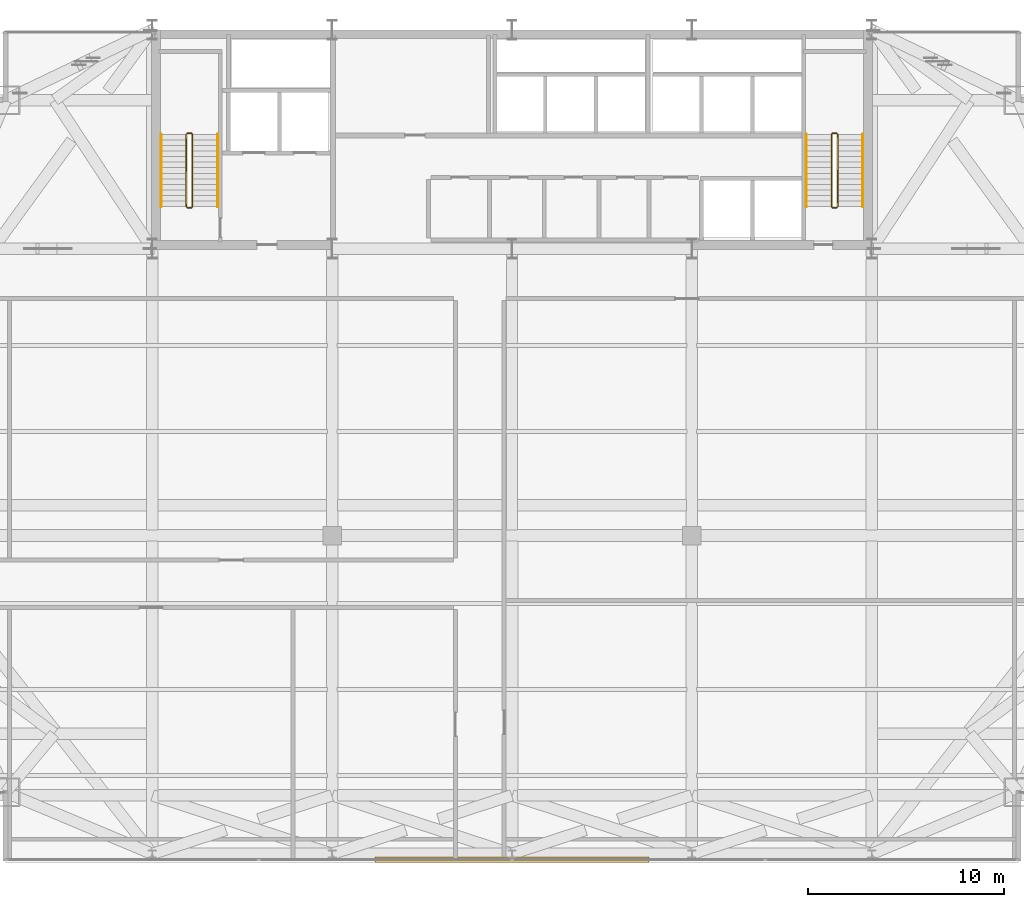
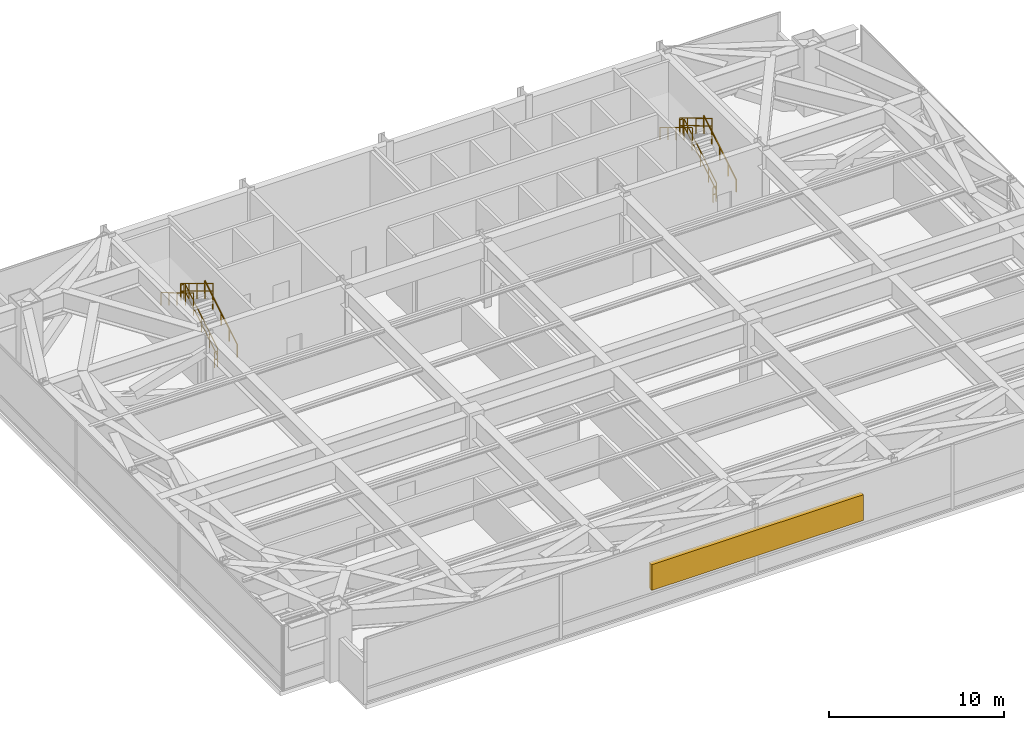
# One storey, part 32 of 32: 12 railings, 1 shading device.
"""IFC4 building model written with IfcOpenShell, lengths in metres."""

from ifc_helpers import new_model, si_unit, direction, frame, origin, origin_2d, place, context, subcontext, project, spatial, rectangle, extrude, source, transform, mapped, material, layer, layer_set, type_object, type_shapes, element, save


model = new_model("IFC4")

# Units and contexts
model_context = context("Model", 3, precision=1e-05, world=origin(), true_north=direction((0.0, 1.0)))
body_context = subcontext(model_context, "Body", "Model", "MODEL_VIEW")
ifc_project = project(units=[si_unit("LENGTHUNIT", "METRE"), si_unit("AREAUNIT", "SQUARE_METRE"), si_unit("VOLUMEUNIT", "CUBIC_METRE"), si_unit("PLANEANGLEUNIT", "RADIAN"), si_unit("MASSUNIT", "GRAM", prefix="KILO")], contexts=[model_context])

# Site, building, storey
site_placement = place(None, origin())
site = spatial("IfcSite", under=ifc_project, at=site_placement, CompositionType="ELEMENT")
building_placement = place(site_placement, origin())
building = spatial("IfcBuilding", under=site, at=building_placement, Name="Varnel Quay Broadcast Tower", CompositionType="ELEMENT")
storey_placement = place(building_placement, frame((0.0, 0.0, 141.0)))
storey = spatial("IfcBuildingStorey", under=building, at=storey_placement, Name="L34", CompositionType="ELEMENT", Elevation=141.0)

# Railings
ifc_material_1 = material(Name="Painted Steel Guard and Handrail CSA G40.21 350W", Category="steel")
railing_type_1 = type_object("IfcRailingType", Name="Rail_StairGuard1100", PredefinedType="GUARDRAIL", material=ifc_material_1)
railing_1_placement = place(storey_placement, frame((17.64990234375, 37.75, 0.17138671875)))
element("IfcRailing", 1, at=railing_1_placement, inside=storey, type_object=railing_type_1, Name="L34 ST-01 stair guard 1", PredefinedType="GUARDRAIL", context=body_context, shape_type="SweptSolid", body=[
    extrude(rectangle(XDim=0.048095703125, YDim=0.048095703125, at=origin_2d()), frame((0.0, 0.0, 1.076171875), z_axis=(0.0, 0.856934400257, 0.515425487977), x_axis=(-1.0, 0.0, 0.0)), (0.0, 0.0, 1.0), 4.32373046875),
    extrude(rectangle(XDim=0.048095703125, YDim=0.048095703125, at=origin_2d()), frame((0.0, 0.0, 0.550048828125), z_axis=(0.0, 0.856934400257, 0.515425487977), x_axis=(-1.0, 0.0, 0.0)), (0.0, 0.0, 1.0), 4.32373046875),
    extrude(rectangle(XDim=0.0419921875, YDim=0.0419921875, at=origin_2d()), origin(), (0.0, 0.0, 1.0), 1.052001953125),
    extrude(rectangle(XDim=0.0419921875, YDim=0.0419921875, at=origin_2d()), frame((0.0, 0.92626953125, 0.55712890625)), (0.0, 0.0, 1.0), 1.052001953125),
    extrude(rectangle(XDim=0.0419921875, YDim=0.0419921875, at=origin_2d()), frame((0.0, 1.8525390625, 1.1142578125)), (0.0, 0.0, 1.0), 1.052001953125),
    extrude(rectangle(XDim=0.0419921875, YDim=0.0419921875, at=origin_2d()), frame((0.0, 2.77880859375, 1.67138671875)), (0.0, 0.0, 1.0), 1.052001953125),
    extrude(rectangle(XDim=0.0419921875, YDim=0.0419921875, at=origin_2d()), frame((0.0, 3.705078125, 2.228515625)), (0.0, 0.0, 1.0), 1.052001953125),
])
railing_2_placement = place(storey_placement, frame((17.60009765625, 41.5048828125, 2.39990234375)))
element("IfcRailing", 2, at=railing_2_placement, inside=storey, type_object=railing_type_1, Name="L34 ST-01 stair guard 2", PredefinedType="GUARDRAIL", context=body_context, shape_type="SweptSolid", body=[
    extrude(rectangle(XDim=0.048095703125, YDim=0.048095703125, at=origin_2d()), frame((0.0, 0.0, 1.076171875), z_axis=(-1.0, 0.0, 0.0), x_axis=(0.0, -1.0, 0.0)), (0.0, 0.0, 1.0), 0.2001953125),
    extrude(rectangle(XDim=0.048095703125, YDim=0.048095703125, at=origin_2d()), frame((0.0, 0.0, 0.550048828125), z_axis=(-1.0, 0.0, 0.0), x_axis=(0.0, -1.0, 0.0)), (0.0, 0.0, 1.0), 0.2001953125),
    extrude(rectangle(XDim=0.0419921875, YDim=0.0419921875, at=origin_2d()), origin(), (0.0, 0.0, 1.0), 1.052001953125),
    extrude(rectangle(XDim=0.0419921875, YDim=0.0419921875, at=origin_2d()), frame((-0.2001953125, 0.0, 0.0)), (0.0, 0.0, 1.0), 1.052001953125),
])
railing_3_placement = place(storey_placement, frame((17.35009765625, 41.455078125, 2.571533203125)))
element("IfcRailing", 3, at=railing_3_placement, inside=storey, type_object=railing_type_1, Name="L34 ST-01 stair guard 3", PredefinedType="GUARDRAIL", context=body_context, shape_type="SweptSolid", body=[
    extrude(rectangle(XDim=0.048095703125, YDim=0.048095703125, at=origin_2d()), frame((0.0, 0.0, 1.076171875), z_axis=(0.0, -0.856934400257, 0.515425487977), x_axis=(1.0, 0.0, 0.0)), (0.0, 0.0, 1.0), 4.32373046875),
    extrude(rectangle(XDim=0.048095703125, YDim=0.048095703125, at=origin_2d()), frame((0.0, 0.0, 0.550048828125), z_axis=(0.0, -0.856934400257, 0.515425487977), x_axis=(1.0, 0.0, 0.0)), (0.0, 0.0, 1.0), 4.32373046875),
    extrude(rectangle(XDim=0.0419921875, YDim=0.0419921875, at=origin_2d()), origin(), (0.0, 0.0, 1.0), 1.052001953125),
    extrude(rectangle(XDim=0.0419921875, YDim=0.0419921875, at=origin_2d()), frame((0.0, -0.92626953125, 0.55712890625)), (0.0, 0.0, 1.0), 1.052001953125),
    extrude(rectangle(XDim=0.0419921875, YDim=0.0419921875, at=origin_2d()), frame((0.0, -1.8525390625, 1.1142578125)), (0.0, 0.0, 1.0), 1.052001953125),
    extrude(rectangle(XDim=0.0419921875, YDim=0.0419921875, at=origin_2d()), frame((0.0, -2.77880859375, 1.67138671875)), (0.0, 0.0, 1.0), 1.052001953125),
    extrude(rectangle(XDim=0.0419921875, YDim=0.0419921875, at=origin_2d()), frame((0.0, -3.705078125, 2.228515625)), (0.0, 0.0, 1.0), 1.052001953125),
])
railing_4_placement = place(storey_placement, frame((17.60009765625, 37.699951171875, 0.0)))
element("IfcRailing", 4, at=railing_4_placement, inside=storey, type_object=railing_type_1, Name="L34 ST-01 stair guard 4", PredefinedType="GUARDRAIL", context=body_context, shape_type="SweptSolid", body=[
    extrude(rectangle(XDim=0.048095703125, YDim=0.048095703125, at=origin_2d()), frame((0.0, 0.0, 1.076171875), z_axis=(-1.0, 0.0, 0.0), x_axis=(0.0, -1.0, 0.0)), (0.0, 0.0, 1.0), 0.2001953125),
    extrude(rectangle(XDim=0.048095703125, YDim=0.048095703125, at=origin_2d()), frame((0.0, 0.0, 0.550048828125), z_axis=(-1.0, 0.0, 0.0), x_axis=(0.0, -1.0, 0.0)), (0.0, 0.0, 1.0), 0.2001953125),
    extrude(rectangle(XDim=0.0419921875, YDim=0.0419921875, at=origin_2d()), origin(), (0.0, 0.0, 1.0), 1.052001953125),
    extrude(rectangle(XDim=0.0419921875, YDim=0.0419921875, at=origin_2d()), frame((-0.2001953125, 0.0, 0.0)), (0.0, 0.0, 1.0), 1.052001953125),
])
railing_5_placement = place(storey_placement, frame((50.64990234375, 37.75, 0.17138671875)))
element("IfcRailing", 5, at=railing_5_placement, inside=storey, type_object=railing_type_1, Name="L34 ST-02 stair guard 1", PredefinedType="GUARDRAIL", context=body_context, shape_type="SweptSolid", body=[
    extrude(rectangle(XDim=0.048095703125, YDim=0.048095703125, at=origin_2d()), frame((0.0, 0.0, 1.076171875), z_axis=(0.0, 0.856934400257, 0.515425487977), x_axis=(-1.0, 0.0, 0.0)), (0.0, 0.0, 1.0), 4.32373046875),
    extrude(rectangle(XDim=0.048095703125, YDim=0.048095703125, at=origin_2d()), frame((0.0, 0.0, 0.550048828125), z_axis=(0.0, 0.856934400257, 0.515425487977), x_axis=(-1.0, 0.0, 0.0)), (0.0, 0.0, 1.0), 4.32373046875),
    extrude(rectangle(XDim=0.0419921875, YDim=0.0419921875, at=origin_2d()), origin(), (0.0, 0.0, 1.0), 1.052001953125),
    extrude(rectangle(XDim=0.0419921875, YDim=0.0419921875, at=origin_2d()), frame((0.0, 0.92626953125, 0.55712890625)), (0.0, 0.0, 1.0), 1.052001953125),
    extrude(rectangle(XDim=0.0419921875, YDim=0.0419921875, at=origin_2d()), frame((0.0, 1.8525390625, 1.1142578125)), (0.0, 0.0, 1.0), 1.052001953125),
    extrude(rectangle(XDim=0.0419921875, YDim=0.0419921875, at=origin_2d()), frame((0.0, 2.77880859375, 1.67138671875)), (0.0, 0.0, 1.0), 1.052001953125),
    extrude(rectangle(XDim=0.0419921875, YDim=0.0419921875, at=origin_2d()), frame((0.0, 3.705078125, 2.228515625)), (0.0, 0.0, 1.0), 1.052001953125),
])
railing_6_placement = place(storey_placement, frame((50.60009765625, 41.5048828125, 2.39990234375)))
element("IfcRailing", 6, at=railing_6_placement, inside=storey, type_object=railing_type_1, Name="L34 ST-02 stair guard 2", PredefinedType="GUARDRAIL", context=body_context, shape_type="SweptSolid", body=[
    extrude(rectangle(XDim=0.048095703125, YDim=0.048095703125, at=origin_2d()), frame((0.0, 0.0, 1.076171875), z_axis=(-1.0, 0.0, 0.0), x_axis=(0.0, -1.0, 0.0)), (0.0, 0.0, 1.0), 0.2001953125),
    extrude(rectangle(XDim=0.048095703125, YDim=0.048095703125, at=origin_2d()), frame((0.0, 0.0, 0.550048828125), z_axis=(-1.0, 0.0, 0.0), x_axis=(0.0, -1.0, 0.0)), (0.0, 0.0, 1.0), 0.2001953125),
    extrude(rectangle(XDim=0.0419921875, YDim=0.0419921875, at=origin_2d()), origin(), (0.0, 0.0, 1.0), 1.052001953125),
    extrude(rectangle(XDim=0.0419921875, YDim=0.0419921875, at=origin_2d()), frame((-0.2001953125, 0.0, 0.0)), (0.0, 0.0, 1.0), 1.052001953125),
])
railing_7_placement = place(storey_placement, frame((50.35009765625, 41.455078125, 2.571533203125)))
element("IfcRailing", 7, at=railing_7_placement, inside=storey, type_object=railing_type_1, Name="L34 ST-02 stair guard 3", PredefinedType="GUARDRAIL", context=body_context, shape_type="SweptSolid", body=[
    extrude(rectangle(XDim=0.048095703125, YDim=0.048095703125, at=origin_2d()), frame((0.0, 0.0, 1.076171875), z_axis=(0.0, -0.856934400257, 0.515425487977), x_axis=(1.0, 0.0, 0.0)), (0.0, 0.0, 1.0), 4.32373046875),
    extrude(rectangle(XDim=0.048095703125, YDim=0.048095703125, at=origin_2d()), frame((0.0, 0.0, 0.550048828125), z_axis=(0.0, -0.856934400257, 0.515425487977), x_axis=(1.0, 0.0, 0.0)), (0.0, 0.0, 1.0), 4.32373046875),
    extrude(rectangle(XDim=0.0419921875, YDim=0.0419921875, at=origin_2d()), origin(), (0.0, 0.0, 1.0), 1.052001953125),
    extrude(rectangle(XDim=0.0419921875, YDim=0.0419921875, at=origin_2d()), frame((0.0, -0.92626953125, 0.55712890625)), (0.0, 0.0, 1.0), 1.052001953125),
    extrude(rectangle(XDim=0.0419921875, YDim=0.0419921875, at=origin_2d()), frame((0.0, -1.8525390625, 1.1142578125)), (0.0, 0.0, 1.0), 1.052001953125),
    extrude(rectangle(XDim=0.0419921875, YDim=0.0419921875, at=origin_2d()), frame((0.0, -2.77880859375, 1.67138671875)), (0.0, 0.0, 1.0), 1.052001953125),
    extrude(rectangle(XDim=0.0419921875, YDim=0.0419921875, at=origin_2d()), frame((0.0, -3.705078125, 2.228515625)), (0.0, 0.0, 1.0), 1.052001953125),
])
railing_8_placement = place(storey_placement, frame((50.60009765625, 37.699951171875, 0.0)))
element("IfcRailing", 8, at=railing_8_placement, inside=storey, type_object=railing_type_1, Name="L34 ST-02 stair guard 4", PredefinedType="GUARDRAIL", context=body_context, shape_type="SweptSolid", body=[
    extrude(rectangle(XDim=0.048095703125, YDim=0.048095703125, at=origin_2d()), frame((0.0, 0.0, 1.076171875), z_axis=(-1.0, 0.0, 0.0), x_axis=(0.0, -1.0, 0.0)), (0.0, 0.0, 1.0), 0.2001953125),
    extrude(rectangle(XDim=0.048095703125, YDim=0.048095703125, at=origin_2d()), frame((0.0, 0.0, 0.550048828125), z_axis=(-1.0, 0.0, 0.0), x_axis=(0.0, -1.0, 0.0)), (0.0, 0.0, 1.0), 0.2001953125),
    extrude(rectangle(XDim=0.0419921875, YDim=0.0419921875, at=origin_2d()), origin(), (0.0, 0.0, 1.0), 1.052001953125),
    extrude(rectangle(XDim=0.0419921875, YDim=0.0419921875, at=origin_2d()), frame((-0.2001953125, 0.0, 0.0)), (0.0, 0.0, 1.0), 1.052001953125),
])
railing_type_2 = type_object("IfcRailingType", Name="Rail_StairHandrail900", PredefinedType="HANDRAIL", material=ifc_material_1)
railing_9_placement = place(storey_placement, frame((18.949951171875, 37.75, 0.17138671875)))
element("IfcRailing", 9, at=railing_9_placement, inside=storey, type_object=railing_type_2, Name="L34 ST-01 stair handrail 1", PredefinedType="HANDRAIL", context=body_context, shape_type="SweptSolid", body=[
    extrude(rectangle(XDim=0.048095703125, YDim=0.048095703125, at=origin_2d()), frame((0.0, 0.0, 0.8759765625), z_axis=(0.0, 0.856934400257, 0.515425487977), x_axis=(-1.0, 0.0, 0.0)), (0.0, 0.0, 1.0), 4.32373046875),
    extrude(rectangle(XDim=0.0419921875, YDim=0.0419921875, at=origin_2d()), origin(), (0.0, 0.0, 1.0), 0.851806640625),
    extrude(rectangle(XDim=0.0419921875, YDim=0.0419921875, at=origin_2d()), frame((0.0, 0.92626953125, 0.55712890625)), (0.0, 0.0, 1.0), 0.851806640625),
    extrude(rectangle(XDim=0.0419921875, YDim=0.0419921875, at=origin_2d()), frame((0.0, 1.8525390625, 1.1142578125)), (0.0, 0.0, 1.0), 0.851806640625),
    extrude(rectangle(XDim=0.0419921875, YDim=0.0419921875, at=origin_2d()), frame((0.0, 2.77880859375, 1.67138671875)), (0.0, 0.0, 1.0), 0.851806640625),
    extrude(rectangle(XDim=0.0419921875, YDim=0.0419921875, at=origin_2d()), frame((0.0, 3.705078125, 2.228515625)), (0.0, 0.0, 1.0), 0.851806640625),
])
railing_10_placement = place(storey_placement, frame((16.050048828125, 41.455078125, 2.571533203125)))
element("IfcRailing", 10, at=railing_10_placement, inside=storey, type_object=railing_type_2, Name="L34 ST-01 stair handrail 2", PredefinedType="HANDRAIL", context=body_context, shape_type="SweptSolid", body=[
    extrude(rectangle(XDim=0.048095703125, YDim=0.048095703125, at=origin_2d()), frame((0.0, 0.0, 0.8759765625), z_axis=(0.0, -0.856934400257, 0.515425487977), x_axis=(1.0, 0.0, 0.0)), (0.0, 0.0, 1.0), 4.32373046875),
    extrude(rectangle(XDim=0.0419921875, YDim=0.0419921875, at=origin_2d()), origin(), (0.0, 0.0, 1.0), 0.851806640625),
    extrude(rectangle(XDim=0.0419921875, YDim=0.0419921875, at=origin_2d()), frame((0.0, -0.92626953125, 0.55712890625)), (0.0, 0.0, 1.0), 0.851806640625),
    extrude(rectangle(XDim=0.0419921875, YDim=0.0419921875, at=origin_2d()), frame((0.0, -1.8525390625, 1.1142578125)), (0.0, 0.0, 1.0), 0.851806640625),
    extrude(rectangle(XDim=0.0419921875, YDim=0.0419921875, at=origin_2d()), frame((0.0, -2.77880859375, 1.67138671875)), (0.0, 0.0, 1.0), 0.851806640625),
    extrude(rectangle(XDim=0.0419921875, YDim=0.0419921875, at=origin_2d()), frame((0.0, -3.705078125, 2.228515625)), (0.0, 0.0, 1.0), 0.851806640625),
])
railing_11_placement = place(storey_placement, frame((51.949951171875, 37.75, 0.17138671875)))
element("IfcRailing", 11, at=railing_11_placement, inside=storey, type_object=railing_type_2, Name="L34 ST-02 stair handrail 1", PredefinedType="HANDRAIL", context=body_context, shape_type="SweptSolid", body=[
    extrude(rectangle(XDim=0.048095703125, YDim=0.048095703125, at=origin_2d()), frame((0.0, 0.0, 0.8759765625), z_axis=(0.0, 0.856934400257, 0.515425487977), x_axis=(-1.0, 0.0, 0.0)), (0.0, 0.0, 1.0), 4.32373046875),
    extrude(rectangle(XDim=0.0419921875, YDim=0.0419921875, at=origin_2d()), origin(), (0.0, 0.0, 1.0), 0.851806640625),
    extrude(rectangle(XDim=0.0419921875, YDim=0.0419921875, at=origin_2d()), frame((0.0, 0.92626953125, 0.55712890625)), (0.0, 0.0, 1.0), 0.851806640625),
    extrude(rectangle(XDim=0.0419921875, YDim=0.0419921875, at=origin_2d()), frame((0.0, 1.8525390625, 1.1142578125)), (0.0, 0.0, 1.0), 0.851806640625),
    extrude(rectangle(XDim=0.0419921875, YDim=0.0419921875, at=origin_2d()), frame((0.0, 2.77880859375, 1.67138671875)), (0.0, 0.0, 1.0), 0.851806640625),
    extrude(rectangle(XDim=0.0419921875, YDim=0.0419921875, at=origin_2d()), frame((0.0, 3.705078125, 2.228515625)), (0.0, 0.0, 1.0), 0.851806640625),
])
railing_12_placement = place(storey_placement, frame((49.050048828125, 41.455078125, 2.571533203125)))
element("IfcRailing", 12, at=railing_12_placement, inside=storey, type_object=railing_type_2, Name="L34 ST-02 stair handrail 2", PredefinedType="HANDRAIL", context=body_context, shape_type="SweptSolid", body=[
    extrude(rectangle(XDim=0.048095703125, YDim=0.048095703125, at=origin_2d()), frame((0.0, 0.0, 0.8759765625), z_axis=(0.0, -0.856934400257, 0.515425487977), x_axis=(1.0, 0.0, 0.0)), (0.0, 0.0, 1.0), 4.32373046875),
    extrude(rectangle(XDim=0.0419921875, YDim=0.0419921875, at=origin_2d()), origin(), (0.0, 0.0, 1.0), 0.851806640625),
    extrude(rectangle(XDim=0.0419921875, YDim=0.0419921875, at=origin_2d()), frame((0.0, -0.92626953125, 0.55712890625)), (0.0, 0.0, 1.0), 0.851806640625),
    extrude(rectangle(XDim=0.0419921875, YDim=0.0419921875, at=origin_2d()), frame((0.0, -1.8525390625, 1.1142578125)), (0.0, 0.0, 1.0), 0.851806640625),
    extrude(rectangle(XDim=0.0419921875, YDim=0.0419921875, at=origin_2d()), frame((0.0, -2.77880859375, 1.67138671875)), (0.0, 0.0, 1.0), 0.851806640625),
    extrude(rectangle(XDim=0.0419921875, YDim=0.0419921875, at=origin_2d()), frame((0.0, -3.705078125, 2.228515625)), (0.0, 0.0, 1.0), 0.851806640625),
])

# Shading device
ifc_material_2 = material(Name="Anodised Bronze Aluminium 6063-T6", Category="aluminium")
ifc_layer = layer(ifc_material_2, 0.080078125, Name="Anodised Bronze Aluminium 6063-T6")
ifc_layer_set = layer_set([ifc_layer], Name="Anodised Bronze Aluminium 6063-T6")
shading_device_type = type_object("IfcShadingDeviceType", Name="Shade_PlantLouvre", PredefinedType="SHUTTER", material=ifc_layer_set)
shared_shape = source(origin(), body_context, "Body", "SweptSolid", [
    extrude(rectangle(XDim=14.0, YDim=0.300048828125, at=origin_2d()), origin(), (0.0, 0.0, 1.0), 1.800048828125),
])
type_shapes(shading_device_type, [shared_shape])
shading_device_placement = place(storey_placement, frame((34.0, 4.35009765625, 1.375), z_axis=(0.0, 0.0, 1.0), x_axis=(1.0, 0.0, 0.0)))
element("IfcShadingDevice", 13, at=shading_device_placement, inside=storey, type_object=shading_device_type, Name="L34 Mechanical Acoustic Louvre", PredefinedType="SHUTTER", context=body_context, shape_type="MappedRepresentation", body=[
    mapped(shared_shape, transform((0.0, 0.0, 0.0), x_axis=(1.0, 0.0, 0.0), y_axis=(0.0, 1.0, 0.0), z_axis=(0.0, 0.0, 1.0), scale=1.0)),
])

save(model, "model.ifc")
